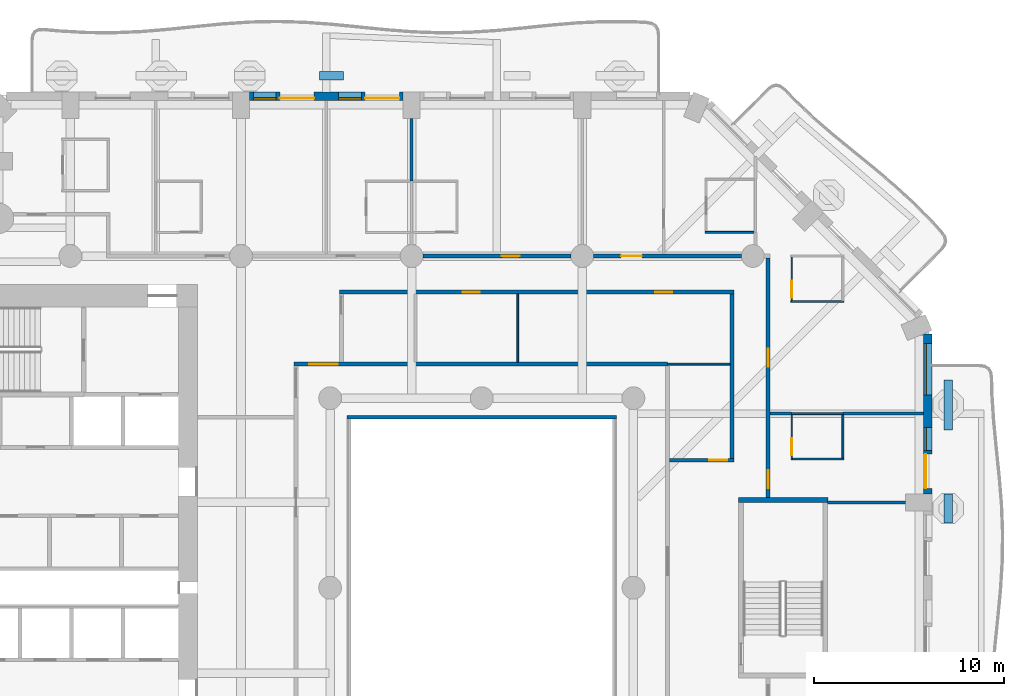
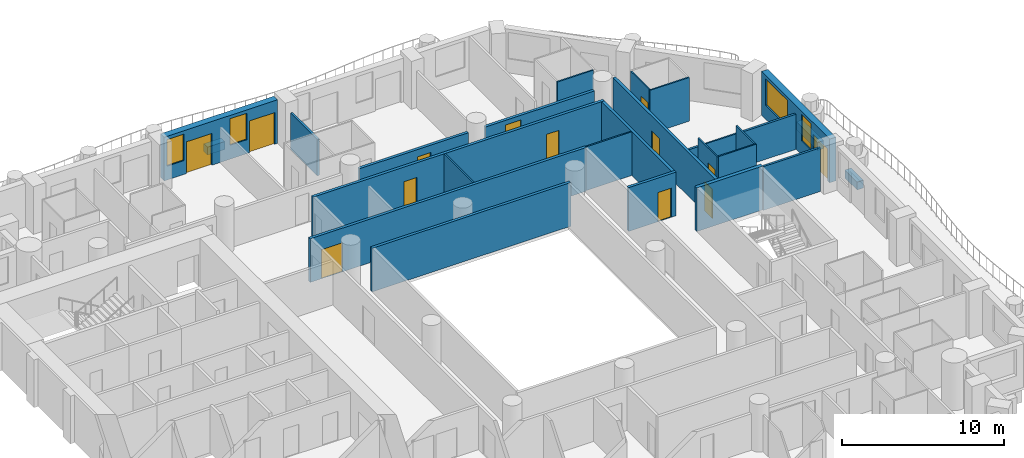
# One storey, part 9 of 20: 27 walls, 13 doors, 4 windows, 17 openings.
"""IFC4 building model written with IfcOpenShell, lengths in metres."""

from ifc_helpers import new_model, si_unit, direction, frame, frame_2d, origin, place, context, subcontext, project, spatial, rectangle, extrude, material, layer, layer_set, type_object, element, fill, save


model = new_model("IFC4")

# Units and contexts
model_context = context("Model", 3, precision=1e-05, world=origin(), true_north=direction((0.0, 1.0)))
body_context = subcontext(model_context, "Body", "Model", "MODEL_VIEW")
ifc_project = project(units=[si_unit("LENGTHUNIT", "METRE"), si_unit("AREAUNIT", "SQUARE_METRE"), si_unit("VOLUMEUNIT", "CUBIC_METRE"), si_unit("PLANEANGLEUNIT", "RADIAN"), si_unit("MASSUNIT", "GRAM", prefix="KILO")], contexts=[model_context])

# Site, building, storey
site_placement = place(None, origin())
site = spatial("IfcSite", under=ifc_project, at=site_placement, CompositionType="ELEMENT")
building_placement = place(site_placement, origin())
building = spatial("IfcBuilding", under=site, at=building_placement, Name="Cypress Arch Tower", CompositionType="ELEMENT")
storey_placement = place(building_placement, frame((0.0, 0.0, 95.10009765625)))
storey = spatial("IfcBuildingStorey", under=building, at=storey_placement, Name="L18", CompositionType="ELEMENT", Elevation=95.10009765625)

# Walls
ifc_material_1 = material(Name="Concrete C40/50, waterproofed", Category="concrete")
ifc_layer_1 = layer(ifc_material_1, 0.449951171875)
ifc_layer_set_1 = layer_set([ifc_layer_1], Name="Balcony planter wall PW450")
wall_type_1 = type_object("IfcWallType", Name="Balcony planter wall PW450", PredefinedType="SOLIDWALL", material=ifc_layer_set_1)
wall_1_placement = place(storey_placement, frame((25.60009765625, 3.42138671875, 0.0), z_axis=(0.0, 0.0, 1.0), x_axis=(0.0, 1.0, 0.0)))
element("IfcWall", 1, at=wall_1_placement, inside=storey, type_object=wall_type_1, Name="Balcony planter wall L18-A06.2", PredefinedType="SOLIDWALL", context=body_context, shape_type="SweptSolid", body=[
    extrude(rectangle(XDim=1.5224609375, YDim=0.449951171875, at=frame_2d((0.76123046875, 0.0))), origin(), (0.0, 0.0, 1.0), 0.599853515625),
])
wall_2_placement = place(storey_placement, frame((25.60009765625, 8.335693359375, 0.0), z_axis=(0.0, 0.0, 1.0), x_axis=(0.0, 1.0, 0.0)))
element("IfcWall", 2, at=wall_2_placement, inside=storey, type_object=wall_type_1, Name="Balcony planter wall L18-A06.3", PredefinedType="SOLIDWALL", context=body_context, shape_type="SweptSolid", body=[
    extrude(rectangle(XDim=2.6142578125, YDim=0.449951171875, at=frame_2d((1.30712890625, 0.0))), origin(), (0.0, 0.0, 1.0), 0.599853515625),
])
wall_3_placement = place(storey_placement, frame((-6.300048828125, 27.0, 0.0), z_axis=(0.0, 0.0, 1.0), x_axis=(-1.0, 0.0, 0.0)))
element("IfcWall", 3, at=wall_3_placement, inside=storey, type_object=wall_type_1, Name="Balcony planter wall L18-A08.3", PredefinedType="SOLIDWALL", context=body_context, shape_type="SweptSolid", body=[
    extrude(rectangle(XDim=1.25, YDim=0.449951171875, at=frame_2d((0.625, 0.0))), origin(), (0.0, 0.0, 1.0), 0.599853515625),
])

# Wall, openings, door, windows
ifc_material_2 = material(Name="Brick (red buff blend)", Category="masonry")
ifc_layer_2 = layer(ifc_material_2, 0.449951171875)
ifc_layer_set_2 = layer_set([ifc_layer_2], Name="Brick pier and spandrel wall BW450")
wall_type_2 = type_object("IfcWallType", Name="Brick pier and spandrel wall BW450", PredefinedType="SOLIDWALL", material=ifc_layer_set_2)
wall_4_placement = place(storey_placement, frame((24.52490234375, 4.949951171875, 0.0), z_axis=(0.0, 0.0, 1.0), x_axis=(0.0, 1.0, 0.0)))
wall_4 = element("IfcWall", 4, at=wall_4_placement, inside=storey, type_object=wall_type_2, Name="Brick wall L18 A06.3", PredefinedType="SOLIDWALL", context=body_context, shape_type="SweptSolid", body=[
    extrude(rectangle(XDim=8.438720703125, YDim=0.449951171875, at=frame_2d((4.21923828125, 0.0))), origin(), (0.0, 0.0, 1.0), 3.2998046875),
])
opening_1_placement = place(wall_4_placement, frame((0.2939453125, 0.0, 0.0)))
opening_1 = element("IfcOpeningElement", 5, at=opening_1_placement, cuts=wall_4, Name="Opening D-L18-A06.3.1", PredefinedType="OPENING", context=body_context, shape_type="SweptSolid", body=[
    extrude(rectangle(XDim=1.800048828125, YDim=2.39990234375, at=frame_2d((0.89990234375, 1.199951171875))), frame((0.0, 0.23486328125, 0.0), z_axis=(0.0, -1.0, 0.0), x_axis=(1.0, 0.0, 0.0)), (0.0, 0.0, 1.0), 0.469970703125),
])
opening_2_placement = place(wall_4_placement, frame((2.2939453125, 0.0, 1.050048828125)))
opening_2 = element("IfcOpeningElement", 6, at=opening_2_placement, cuts=wall_4, Name="Opening W120HD", PredefinedType="OPENING", context=body_context, shape_type="SweptSolid", body=[
    extrude(rectangle(XDim=1.199951171875, YDim=2.0, at=frame_2d((0.60009765625, 1.0))), frame((0.0, 0.23486328125, 0.0), z_axis=(0.0, -1.0, 0.0), x_axis=(1.0, 0.0, 0.0)), (0.0, 0.0, 1.0), 0.469970703125),
])
opening_3_placement = place(wall_4_placement, frame((5.231689453125, 0.0, 1.050048828125)))
opening_3 = element("IfcOpeningElement", 7, at=opening_3_placement, cuts=wall_4, Name="Opening W270HD", PredefinedType="OPENING", context=body_context, shape_type="SweptSolid", body=[
    extrude(rectangle(XDim=2.699951171875, YDim=2.0, at=frame_2d((1.35009765625, 1.0))), frame((0.0, 0.23486328125, 0.0), z_axis=(0.0, -1.0, 0.0), x_axis=(1.0, 0.0, 0.0)), (0.0, 0.0, 1.0), 0.469970703125),
])
ifc_material_3 = material(Name="Anodised aluminium, bronze finish, laminated low-emissivity double glazing, large-missile impact rated", Category="aluminium")
door_type_1 = type_object("IfcDoorType", Name="Balcony sliding door 1800x2400", OperationType="SLIDING_TO_LEFT", PredefinedType="DOOR", material=ifc_material_3)
door_1_placement = place(opening_1_placement, origin())
door_1 = element("IfcDoor", 8, at=door_1_placement, inside=storey, type_object=door_type_1, Name="Balcony door L18 A06.3.1", OperationType="SLIDING_TO_LEFT", OverallHeight=2.39990234375, OverallWidth=1.800048828125, PredefinedType="DOOR", context=body_context, shape_type="SweptSolid", body=[
    extrude(rectangle(XDim=1.800048828125, YDim=2.39990234375, at=frame_2d((0.89990234375, 1.199951171875))), frame((0.0, 0.1298828125, 0.0), z_axis=(0.0, -1.0, 0.0), x_axis=(1.0, 0.0, 0.0)), (0.0, 0.0, 1.0), 0.050048828125),
])
fill(opening_1, door_1)
ifc_material_4 = material(Name="Anodised aluminium, bronze finish, laminated low-emissivity double glazing, large-missile impact rated", Category="aluminium")
window_type_1 = type_object("IfcWindowType", Name="Window Hotel 1200x2000 debris-rated", PartitioningType="SINGLE_PANEL", PredefinedType="WINDOW", material=ifc_material_4)
window_1_placement = place(opening_2_placement, origin())
window_1 = element("IfcWindow", 9, at=window_1_placement, inside=storey, type_object=window_type_1, Name="Window L18 A06.3.1", OverallHeight=2.0, OverallWidth=1.199951171875, PartitioningType="SINGLE_PANEL", PredefinedType="WINDOW", context=body_context, shape_type="SweptSolid", body=[
    extrude(rectangle(XDim=1.199951171875, YDim=2.0, at=frame_2d((0.60009765625, 1.0))), frame((0.0, 0.135009765625, 0.0), z_axis=(0.0, -1.0, 0.0), x_axis=(1.0, 0.0, 0.0)), (0.0, 0.0, 1.0), 0.06005859375),
])
fill(opening_2, window_1)
ifc_material_5 = material(Name="Anodised aluminium, bronze finish, laminated low-emissivity double glazing, large-missile impact rated", Category="aluminium")
window_type_2 = type_object("IfcWindowType", Name="Window Hotel 2700x2000 debris-rated", PartitioningType="SINGLE_PANEL", PredefinedType="WINDOW", material=ifc_material_5)
window_2_placement = place(opening_3_placement, origin())
window_2 = element("IfcWindow", 10, at=window_2_placement, inside=storey, type_object=window_type_2, Name="Window L18 A06.3.2", OverallHeight=2.0, OverallWidth=2.699951171875, PartitioningType="SINGLE_PANEL", PredefinedType="WINDOW", context=body_context, shape_type="SweptSolid", body=[
    extrude(rectangle(XDim=2.699951171875, YDim=2.0, at=frame_2d((1.35009765625, 1.0))), frame((0.0, 0.135009765625, 0.0), z_axis=(0.0, -1.0, 0.0), x_axis=(1.0, 0.0, 0.0)), (0.0, 0.0, 1.0), 0.06005859375),
])
fill(opening_3, window_2)

# Wall, openings, doors, windows
wall_5_placement = place(storey_placement, frame((-3.14990234375, 25.925048828125, 0.0), z_axis=(0.0, 0.0, 1.0), x_axis=(-1.0, 0.0, 0.0)))
wall_5 = element("IfcWall", 11, at=wall_5_placement, inside=storey, type_object=wall_type_2, Name="Brick wall L18 A08.2", PredefinedType="SOLIDWALL", context=body_context, shape_type="SweptSolid", body=[
    extrude(rectangle(XDim=8.10009765625, YDim=0.449951171875, at=frame_2d((4.050048828125, 0.0))), origin(), (0.0, 0.0, 1.0), 3.2998046875),
])
opening_4_placement = place(wall_5_placement, frame((0.199951171875, 0.0, 0.0)))
opening_4 = element("IfcOpeningElement", 12, at=opening_4_placement, cuts=wall_5, Name="Opening D-L18-A08.2.1", PredefinedType="OPENING", context=body_context, shape_type="SweptSolid", body=[
    extrude(rectangle(XDim=1.800048828125, YDim=2.39990234375, at=frame_2d((0.89990234375, 1.199951171875))), frame((0.0, 0.23486328125, 0.0), z_axis=(0.0, -1.0, 0.0), x_axis=(1.0, 0.0, 0.0)), (0.0, 0.0, 1.0), 0.469970703125),
])
opening_5_placement = place(wall_5_placement, frame((2.199951171875, 0.0, 1.050048828125)))
opening_5 = element("IfcOpeningElement", 13, at=opening_5_placement, cuts=wall_5, Name="Opening W120HD", PredefinedType="OPENING", context=body_context, shape_type="SweptSolid", body=[
    extrude(rectangle(XDim=1.199951171875, YDim=2.0, at=frame_2d((0.60009765625, 1.0))), frame((0.0, 0.23486328125, 0.0), z_axis=(0.0, -1.0, 0.0), x_axis=(1.0, 0.0, 0.0)), (0.0, 0.0, 1.0), 0.469970703125),
])
opening_6_placement = place(wall_5_placement, frame((4.699951171875, 0.0, 0.0)))
opening_6 = element("IfcOpeningElement", 14, at=opening_6_placement, cuts=wall_5, Name="Opening D-L18-A08.2.2", PredefinedType="OPENING", context=body_context, shape_type="SweptSolid", body=[
    extrude(rectangle(XDim=1.800048828125, YDim=2.39990234375, at=frame_2d((0.89990234375, 1.199951171875))), frame((0.0, 0.23486328125, 0.0), z_axis=(0.0, -1.0, 0.0), x_axis=(1.0, 0.0, 0.0)), (0.0, 0.0, 1.0), 0.469970703125),
])
opening_7_placement = place(wall_5_placement, frame((6.699951171875, 0.0, 1.050048828125)))
opening_7 = element("IfcOpeningElement", 15, at=opening_7_placement, cuts=wall_5, Name="Opening W120HD", PredefinedType="OPENING", context=body_context, shape_type="SweptSolid", body=[
    extrude(rectangle(XDim=1.199951171875, YDim=2.0, at=frame_2d((0.60009765625, 1.0))), frame((0.0, 0.23486328125, 0.0), z_axis=(0.0, -1.0, 0.0), x_axis=(1.0, 0.0, 0.0)), (0.0, 0.0, 1.0), 0.469970703125),
])
door_2_placement = place(opening_4_placement, origin())
door_2 = element("IfcDoor", 16, at=door_2_placement, inside=storey, type_object=door_type_1, Name="Balcony door L18 A08.2.1", OperationType="SLIDING_TO_LEFT", OverallHeight=2.39990234375, OverallWidth=1.800048828125, PredefinedType="DOOR", context=body_context, shape_type="SweptSolid", body=[
    extrude(rectangle(XDim=1.800048828125, YDim=2.39990234375, at=frame_2d((0.89990234375, 1.199951171875))), frame((0.0, 0.1298828125, 0.0), z_axis=(0.0, -1.0, 0.0), x_axis=(1.0, 0.0, 0.0)), (0.0, 0.0, 1.0), 0.050048828125),
])
fill(opening_4, door_2)
door_3_placement = place(opening_6_placement, origin())
door_3 = element("IfcDoor", 17, at=door_3_placement, inside=storey, type_object=door_type_1, Name="Balcony door L18 A08.2.2", OperationType="SLIDING_TO_LEFT", OverallHeight=2.39990234375, OverallWidth=1.800048828125, PredefinedType="DOOR", context=body_context, shape_type="SweptSolid", body=[
    extrude(rectangle(XDim=1.800048828125, YDim=2.39990234375, at=frame_2d((0.89990234375, 1.199951171875))), frame((0.0, 0.1298828125, 0.0), z_axis=(0.0, -1.0, 0.0), x_axis=(1.0, 0.0, 0.0)), (0.0, 0.0, 1.0), 0.050048828125),
])
fill(opening_6, door_3)
window_3_placement = place(opening_5_placement, origin())
window_3 = element("IfcWindow", 18, at=window_3_placement, inside=storey, type_object=window_type_1, Name="Window L18 A08.2.1", OverallHeight=2.0, OverallWidth=1.199951171875, PartitioningType="SINGLE_PANEL", PredefinedType="WINDOW", context=body_context, shape_type="SweptSolid", body=[
    extrude(rectangle(XDim=1.199951171875, YDim=2.0, at=frame_2d((0.60009765625, 1.0))), frame((0.0, 0.135009765625, 0.0), z_axis=(0.0, -1.0, 0.0), x_axis=(1.0, 0.0, 0.0)), (0.0, 0.0, 1.0), 0.06005859375),
])
fill(opening_5, window_3)
window_4_placement = place(opening_7_placement, origin())
window_4 = element("IfcWindow", 19, at=window_4_placement, inside=storey, type_object=window_type_1, Name="Window L18 A08.2.2", OverallHeight=2.0, OverallWidth=1.199951171875, PartitioningType="SINGLE_PANEL", PredefinedType="WINDOW", context=body_context, shape_type="SweptSolid", body=[
    extrude(rectangle(XDim=1.199951171875, YDim=2.0, at=frame_2d((0.60009765625, 1.0))), frame((0.0, 0.135009765625, 0.0), z_axis=(0.0, -1.0, 0.0), x_axis=(1.0, 0.0, 0.0)), (0.0, 0.0, 1.0), 0.06005859375),
])
fill(opening_7, window_4)

# Wall, opening, door
ifc_material_6 = material(Name="Concrete blockwork, plastered, rated", Category="masonry")
ifc_layer_3 = layer(ifc_material_6, 0.199951171875)
ifc_layer_set_3 = layer_set([ifc_layer_3], Name="Corridor wall FW200")
wall_type_3 = type_object("IfcWallType", Name="Corridor wall FW200", PredefinedType="PARTITIONING", material=ifc_layer_set_3)
wall_6_placement = place(storey_placement, frame((-2.10009765625, 17.5, 0.0), z_axis=(0.0, 0.0, 1.0), x_axis=(1.0, 0.0, 0.0)))
wall_6 = element("IfcWall", 20, at=wall_6_placement, inside=storey, type_object=wall_type_3, Name="Corridor wall", PredefinedType="PARTITIONING", context=body_context, shape_type="SweptSolid", body=[
    extrude(rectangle(XDim=7.800048828125, YDim=0.199951171875, at=frame_2d((3.89990234375, 0.0))), origin(), (0.0, 0.0, 1.0), 2.75),
])
opening_8_placement = place(wall_6_placement, frame((4.14990234375, 0.0, 0.0)))
opening_8 = element("IfcOpeningElement", 21, at=opening_8_placement, cuts=wall_6, Name="Opening D02", PredefinedType="OPENING", context=body_context, shape_type="SweptSolid", body=[
    extrude(rectangle(XDim=0.949951171875, YDim=2.199951171875, at=frame_2d((0.47509765625, 1.10009765625))), frame((0.0, 0.10986328125, 0.0), z_axis=(0.0, -1.0, 0.0), x_axis=(1.0, 0.0, 0.0)), (0.0, 0.0, 1.0), 0.219970703125),
])
ifc_material_7 = material(Name="Timber flush door, fire resisting", Category="wood")
door_type_2 = type_object("IfcDoorType", Name="Room door D02 950x2200", OperationType="SINGLE_SWING_LEFT", PredefinedType="DOOR", material=ifc_material_7)
door_4_placement = place(opening_8_placement, origin())
door_4 = element("IfcDoor", 22, at=door_4_placement, inside=storey, type_object=door_type_2, Name="Room door", OperationType="SINGLE_SWING_RIGHT", OverallHeight=2.199951171875, OverallWidth=0.949951171875, PredefinedType="DOOR", context=body_context, shape_type="SweptSolid", body=[
    extrude(rectangle(XDim=0.949951171875, YDim=2.199951171875, at=frame_2d((0.47509765625, 1.10009765625))), frame((0.0, 0.02490234375, 0.0), z_axis=(0.0, -1.0, 0.0), x_axis=(1.0, 0.0, 0.0)), (0.0, 0.0, 1.0), 0.050048828125),
])
fill(opening_8, door_4)

wall_7_placement = place(storey_placement, frame((6.89990234375, 17.5, 0.0), z_axis=(0.0, 0.0, 1.0), x_axis=(1.0, 0.0, 0.0)))
wall_7 = element("IfcWall", 23, at=wall_7_placement, inside=storey, type_object=wall_type_3, Name="Corridor wall", PredefinedType="PARTITIONING", context=body_context, shape_type="SweptSolid", body=[
    extrude(rectangle(XDim=7.800048828125, YDim=0.199951171875, at=frame_2d((3.89990234375, 0.0))), origin(), (0.0, 0.0, 1.0), 2.75),
])
opening_9_placement = place(wall_7_placement, frame((1.449951171875, 0.0, 0.0)))
opening_9 = element("IfcOpeningElement", 24, at=opening_9_placement, cuts=wall_7, Name="Opening D01", PredefinedType="OPENING", context=body_context, shape_type="SweptSolid", body=[
    extrude(rectangle(XDim=1.10009765625, YDim=2.39990234375, at=frame_2d((0.550048828125, 1.199951171875))), frame((0.0, 0.10986328125, 0.0), z_axis=(0.0, -1.0, 0.0), x_axis=(1.0, 0.0, 0.0)), (0.0, 0.0, 1.0), 0.219970703125),
])
ifc_material_8 = material(Name="Timber flush door, fire resisting, self-closing", Category="wood")
door_type_3 = type_object("IfcDoorType", Name="Unit entrance door D01 1100x2400", OperationType="SINGLE_SWING_LEFT", PredefinedType="DOOR", material=ifc_material_8)
door_5_placement = place(opening_9_placement, origin())
door_5 = element("IfcDoor", 25, at=door_5_placement, inside=storey, type_object=door_type_3, Name="Unit entrance door", OperationType="SINGLE_SWING_RIGHT", OverallHeight=2.39990234375, OverallWidth=1.10009765625, PredefinedType="DOOR", context=body_context, shape_type="SweptSolid", body=[
    extrude(rectangle(XDim=1.10009765625, YDim=2.39990234375, at=frame_2d((0.550048828125, 1.199951171875))), frame((0.0, 0.02490234375, 0.0), z_axis=(0.0, -1.0, 0.0), x_axis=(1.0, 0.0, 0.0)), (0.0, 0.0, 1.0), 0.050048828125),
])
fill(opening_9, door_5)

wall_8_placement = place(storey_placement, frame((-8.89990234375, 11.800048828125, 0.0), z_axis=(0.0, 0.0, 1.0), x_axis=(1.0, 0.0, 0.0)))
wall_8 = element("IfcWall", 26, at=wall_8_placement, inside=storey, type_object=wall_type_3, Name="Corridor wall", PredefinedType="PARTITIONING", context=body_context, shape_type="SweptSolid", body=[
    extrude(rectangle(XDim=19.699951171875, YDim=0.199951171875, at=frame_2d((9.85009765625, 0.0))), origin(), (0.0, 0.0, 1.0), 3.2998046875),
])
opening_10_placement = place(wall_8_placement, frame((0.800048828125, 0.0, 0.0)))
opening_10 = element("IfcOpeningElement", 27, at=opening_10_placement, cuts=wall_8, Name="Opening D04", PredefinedType="OPENING", context=body_context, shape_type="SweptSolid", body=[
    extrude(rectangle(XDim=1.5, YDim=2.199951171875, at=frame_2d((0.75, 1.10009765625))), frame((0.0, 0.10986328125, 0.0), z_axis=(0.0, -1.0, 0.0), x_axis=(1.0, 0.0, 0.0)), (0.0, 0.0, 1.0), 0.219970703125),
])
ifc_material_9 = material(Name="Timber double door", Category="wood")
door_type_4 = type_object("IfcDoorType", Name="Double door D04 1500x2200", OperationType="DOUBLE_DOOR_SINGLE_SWING", PredefinedType="DOOR", material=ifc_material_9)
door_6_placement = place(opening_10_placement, origin())
door_6 = element("IfcDoor", 28, at=door_6_placement, inside=storey, type_object=door_type_4, Name="Double door", OperationType="DOUBLE_DOOR_SINGLE_SWING", OverallHeight=2.199951171875, OverallWidth=1.5, PredefinedType="DOOR", context=body_context, shape_type="SweptSolid", body=[
    extrude(rectangle(XDim=1.5, YDim=2.199951171875, at=frame_2d((0.75, 1.10009765625))), frame((0.0, 0.02490234375, 0.0), z_axis=(0.0, -1.0, 0.0), x_axis=(1.0, 0.0, 0.0)), (0.0, 0.0, 1.0), 0.050048828125),
])
fill(opening_10, door_6)

# Wall, openings, doors
wall_9_placement = place(storey_placement, frame((-6.5, 15.60009765625, 0.0), z_axis=(0.0, 0.0, 1.0), x_axis=(1.0, 0.0, 0.0)))
wall_9 = element("IfcWall", 29, at=wall_9_placement, inside=storey, type_object=wall_type_3, Name="Corridor wall", PredefinedType="PARTITIONING", context=body_context, shape_type="SweptSolid", body=[
    extrude(rectangle(XDim=20.800048828125, YDim=0.199951171875, at=frame_2d((10.39990234375, 0.0))), origin(), (0.0, 0.0, 1.0), 3.2998046875),
])
opening_11_placement = place(wall_9_placement, frame((6.5, 0.0, 0.0)))
opening_11 = element("IfcOpeningElement", 30, at=opening_11_placement, cuts=wall_9, Name="Opening D05", PredefinedType="OPENING", context=body_context, shape_type="SweptSolid", body=[
    extrude(rectangle(XDim=0.89990234375, YDim=2.199951171875, at=frame_2d((0.449951171875, 1.10009765625))), frame((0.0, 0.10986328125, 0.0), z_axis=(0.0, -1.0, 0.0), x_axis=(1.0, 0.0, 0.0)), (0.0, 0.0, 1.0), 0.219970703125),
])
opening_12_placement = place(wall_9_placement, frame((16.64990234375, 0.0, 0.0)))
opening_12 = element("IfcOpeningElement", 31, at=opening_12_placement, cuts=wall_9, Name="Opening D03", PredefinedType="OPENING", context=body_context, shape_type="SweptSolid", body=[
    extrude(rectangle(XDim=0.89990234375, YDim=2.199951171875, at=frame_2d((0.449951171875, 1.10009765625))), frame((0.0, 0.10986328125, 0.0), z_axis=(0.0, -1.0, 0.0), x_axis=(1.0, 0.0, 0.0)), (0.0, 0.0, 1.0), 0.219970703125),
])
ifc_material_10 = material(Name="Timber flush door, moisture resistant", Category="wood")
door_type_5 = type_object("IfcDoorType", Name="Bathroom door D03 900x2200", OperationType="SINGLE_SWING_LEFT", PredefinedType="DOOR", material=ifc_material_10)
door_7_placement = place(opening_12_placement, origin())
door_7 = element("IfcDoor", 32, at=door_7_placement, inside=storey, type_object=door_type_5, Name="Bathroom door", OperationType="SINGLE_SWING_LEFT", OverallHeight=2.199951171875, OverallWidth=0.89990234375, PredefinedType="DOOR", context=body_context, shape_type="SweptSolid", body=[
    extrude(rectangle(XDim=0.89990234375, YDim=2.199951171875, at=frame_2d((0.449951171875, 1.10009765625))), frame((0.0, 0.02490234375, 0.0), z_axis=(0.0, -1.0, 0.0), x_axis=(1.0, 0.0, 0.0)), (0.0, 0.0, 1.0), 0.050048828125),
])
fill(opening_12, door_7)
ifc_material_11 = material(Name="Timber flush door", Category="wood")
door_type_6 = type_object("IfcDoorType", Name="Service door D05 900x2200", OperationType="SINGLE_SWING_LEFT", PredefinedType="DOOR", material=ifc_material_11)
door_8_placement = place(opening_11_placement, origin())
door_8 = element("IfcDoor", 33, at=door_8_placement, inside=storey, type_object=door_type_6, Name="Service door", OperationType="SINGLE_SWING_LEFT", OverallHeight=2.199951171875, OverallWidth=0.89990234375, PredefinedType="DOOR", context=body_context, shape_type="SweptSolid", body=[
    extrude(rectangle(XDim=0.89990234375, YDim=2.199951171875, at=frame_2d((0.449951171875, 1.10009765625))), frame((0.0, 0.02490234375, 0.0), z_axis=(0.0, -1.0, 0.0), x_axis=(1.0, 0.0, 0.0)), (0.0, 0.0, 1.0), 0.050048828125),
])
fill(opening_11, door_8)

# Wall
wall_10_placement = place(storey_placement, frame((-6.10009765625, 9.0, 0.0), z_axis=(0.0, 0.0, 1.0), x_axis=(1.0, 0.0, 0.0)))
element("IfcWall", 34, at=wall_10_placement, inside=storey, type_object=wall_type_3, Name="Corridor wall", PredefinedType="PARTITIONING", context=body_context, shape_type="SweptSolid", body=[
    extrude(rectangle(XDim=14.2001953125, YDim=0.199951171875, at=frame_2d((7.10009765625, 0.0))), origin(), (0.0, 0.0, 1.0), 3.2998046875),
])

# Wall, opening, door
wall_11_placement = place(storey_placement, frame((10.89990234375, 6.72509765625, 0.0), z_axis=(0.0, 0.0, 1.0), x_axis=(1.0, 0.0, 0.0)))
wall_11 = element("IfcWall", 35, at=wall_11_placement, inside=storey, type_object=wall_type_3, Name="Corridor wall", PredefinedType="PARTITIONING", context=body_context, shape_type="SweptSolid", body=[
    extrude(rectangle(XDim=3.400146484375, YDim=0.199951171875, at=frame_2d((1.7001953125, 0.0))), origin(), (0.0, 0.0, 1.0), 3.2998046875),
])
opening_13_placement = place(wall_11_placement, frame((2.10009765625, 0.0, 0.0)))
opening_13 = element("IfcOpeningElement", 36, at=opening_13_placement, cuts=wall_11, Name="Opening D02", PredefinedType="OPENING", context=body_context, shape_type="SweptSolid", body=[
    extrude(rectangle(XDim=0.949951171875, YDim=2.199951171875, at=frame_2d((0.47509765625, 1.10009765625))), frame((0.0, 0.10986328125, 0.0), z_axis=(0.0, -1.0, 0.0), x_axis=(1.0, 0.0, 0.0)), (0.0, 0.0, 1.0), 0.219970703125),
])
door_9_placement = place(opening_13_placement, origin())
door_9 = element("IfcDoor", 37, at=door_9_placement, inside=storey, type_object=door_type_2, Name="Room door", OperationType="SINGLE_SWING_RIGHT", OverallHeight=2.199951171875, OverallWidth=0.949951171875, PredefinedType="DOOR", context=body_context, shape_type="SweptSolid", body=[
    extrude(rectangle(XDim=0.949951171875, YDim=2.199951171875, at=frame_2d((0.47509765625, 1.10009765625))), frame((0.0, 0.02490234375, 0.0), z_axis=(0.0, -1.0, 0.0), x_axis=(1.0, 0.0, 0.0)), (0.0, 0.0, 1.0), 0.050048828125),
])
fill(opening_13, door_9)

# Wall
wall_12_placement = place(storey_placement, frame((14.199951171875, 6.824951171875, 0.0), z_axis=(0.0, 0.0, 1.0), x_axis=(0.0, 1.0, 0.0)))
element("IfcWall", 38, at=wall_12_placement, inside=storey, type_object=wall_type_3, Name="Corridor wall", PredefinedType="PARTITIONING", context=body_context, shape_type="SweptSolid", body=[
    extrude(rectangle(XDim=8.675048828125, YDim=0.199951171875, at=frame_2d((4.33740234375, 0.0))), origin(), (0.0, 0.0, 1.0), 3.2998046875),
])

# Wall, openings, doors
wall_13_placement = place(storey_placement, frame((16.10009765625, 4.75, 0.0), z_axis=(0.0, 0.0, 1.0), x_axis=(0.0, 1.0, 0.0)))
wall_13 = element("IfcWall", 39, at=wall_13_placement, inside=storey, type_object=wall_type_3, Name="Corridor wall", PredefinedType="PARTITIONING", context=body_context, shape_type="SweptSolid", body=[
    extrude(rectangle(XDim=12.64990234375, YDim=0.199951171875, at=frame_2d((6.324951171875, 0.0))), origin(), (0.0, 0.0, 1.0), 3.2998046875),
])
opening_14_placement = place(wall_13_placement, frame((0.5, 0.0, 0.0)))
opening_14 = element("IfcOpeningElement", 40, at=opening_14_placement, cuts=wall_13, Name="Opening D02", PredefinedType="OPENING", context=body_context, shape_type="SweptSolid", body=[
    extrude(rectangle(XDim=0.949951171875, YDim=2.199951171875, at=frame_2d((0.47509765625, 1.10009765625))), frame((0.0, 0.10986328125, 0.0), z_axis=(0.0, -1.0, 0.0), x_axis=(1.0, 0.0, 0.0)), (0.0, 0.0, 1.0), 0.219970703125),
])
opening_15_placement = place(wall_13_placement, frame((6.89990234375, 0.0, 0.0)))
opening_15 = element("IfcOpeningElement", 41, at=opening_15_placement, cuts=wall_13, Name="Opening D02", PredefinedType="OPENING", context=body_context, shape_type="SweptSolid", body=[
    extrude(rectangle(XDim=0.949951171875, YDim=2.199951171875, at=frame_2d((0.47509765625, 1.10009765625))), frame((0.0, 0.10986328125, 0.0), z_axis=(0.0, -1.0, 0.0), x_axis=(1.0, 0.0, 0.0)), (0.0, 0.0, 1.0), 0.219970703125),
])
door_10_placement = place(opening_14_placement, origin())
door_10 = element("IfcDoor", 42, at=door_10_placement, inside=storey, type_object=door_type_2, Name="Room door", OperationType="SINGLE_SWING_RIGHT", OverallHeight=2.199951171875, OverallWidth=0.949951171875, PredefinedType="DOOR", context=body_context, shape_type="SweptSolid", body=[
    extrude(rectangle(XDim=0.949951171875, YDim=2.199951171875, at=frame_2d((0.47509765625, 1.10009765625))), frame((0.0, 0.02490234375, 0.0), z_axis=(0.0, -1.0, 0.0), x_axis=(1.0, 0.0, 0.0)), (0.0, 0.0, 1.0), 0.050048828125),
])
fill(opening_14, door_10)
door_11_placement = place(opening_15_placement, origin())
door_11 = element("IfcDoor", 43, at=door_11_placement, inside=storey, type_object=door_type_2, Name="Room door", OperationType="SINGLE_SWING_RIGHT", OverallHeight=2.199951171875, OverallWidth=0.949951171875, PredefinedType="DOOR", context=body_context, shape_type="SweptSolid", body=[
    extrude(rectangle(XDim=0.949951171875, YDim=2.199951171875, at=frame_2d((0.47509765625, 1.10009765625))), frame((0.0, 0.02490234375, 0.0), z_axis=(0.0, -1.0, 0.0), x_axis=(1.0, 0.0, 0.0)), (0.0, 0.0, 1.0), 0.050048828125),
])
fill(opening_15, door_11)

# Walls
ifc_material_12 = material(Name="Blockwork, plastered both sides", Category="masonry")
ifc_layer_4 = layer(ifc_material_12, 0.14990234375)
ifc_layer_set_4 = layer_set([ifc_layer_4], Name="Partition PW150")
wall_type_4 = type_object("IfcWallType", Name="Partition PW150", PredefinedType="PARTITIONING", material=ifc_layer_set_4)
wall_14_placement = place(storey_placement, frame((-2.699951171875, 21.449951171875, 0.0), z_axis=(0.0, 0.0, 1.0), x_axis=(0.0, 1.0, 0.0)))
element("IfcWall", 44, at=wall_14_placement, inside=storey, type_object=wall_type_4, Name="Partition", PredefinedType="PARTITIONING", context=body_context, shape_type="SweptSolid", body=[
    extrude(rectangle(XDim=3.300048828125, YDim=0.14990234375, at=frame_2d((1.64990234375, 0.0))), origin(), (0.0, 0.0, 1.0), 2.75),
])
wall_15_placement = place(storey_placement, frame((16.199951171875, 9.18994140625, 0.0), z_axis=(0.0, 0.0, 1.0), x_axis=(1.0, 0.0, 0.0)))
element("IfcWall", 45, at=wall_15_placement, inside=storey, type_object=wall_type_4, Name="Partition", PredefinedType="PARTITIONING", context=body_context, shape_type="SweptSolid", body=[
    extrude(rectangle(XDim=1.130126953125, YDim=0.14990234375, at=frame_2d((0.56494140625, 0.0))), origin(), (0.0, 0.0, 1.0), 2.64990234375),
])
wall_16_placement = place(storey_placement, frame((19.25, 4.5, 0.0), z_axis=(0.0, 0.0, 1.0), x_axis=(1.0, 0.0, 0.0)))
element("IfcWall", 46, at=wall_16_placement, inside=storey, type_object=wall_type_4, Name="Partition", PredefinedType="PARTITIONING", context=body_context, shape_type="SweptSolid", body=[
    extrude(rectangle(XDim=4.10009765625, YDim=0.14990234375, at=frame_2d((2.050048828125, 0.0))), origin(), (0.0, 0.0, 1.0), 3.2998046875),
])
wall_17_placement = place(storey_placement, frame((20.050048828125, 9.18994140625, 0.0), z_axis=(0.0, 0.0, 1.0), x_axis=(1.0, 0.0, 0.0)))
element("IfcWall", 47, at=wall_17_placement, inside=storey, type_object=wall_type_4, Name="Partition", PredefinedType="PARTITIONING", context=body_context, shape_type="SweptSolid", body=[
    extrude(rectangle(XDim=4.25, YDim=0.14990234375, at=frame_2d((2.125, 0.0))), origin(), (0.0, 0.0, 1.0), 2.64990234375),
])
ifc_material_13 = material(Name="Concrete C50/60", Category="concrete")
ifc_layer_5 = layer(ifc_material_13, 0.25)
ifc_layer_set_5 = layer_set([ifc_layer_5], Name="Stair enclosure wall SW250")
wall_type_5 = type_object("IfcWallType", Name="Stair enclosure wall SW250", PredefinedType="SHEAR", material=ifc_layer_set_5)
wall_18_placement = place(storey_placement, frame((14.550048828125, 4.625, 0.0), z_axis=(0.0, 0.0, 1.0), x_axis=(1.0, 0.0, 0.0)))
element("IfcWall", 48, at=wall_18_placement, inside=storey, type_object=wall_type_5, Name="Stair enclosure wall", PredefinedType="SHEAR", context=body_context, shape_type="SweptSolid", body=[
    extrude(rectangle(XDim=4.699951171875, YDim=0.25, at=frame_2d((2.35009765625, 0.0))), origin(), (0.0, 0.0, 1.0), 3.2998046875),
])
ifc_material_14 = material(Name="Moisture resistant board on steel studs, tiled", Category="steel")
ifc_layer_6 = layer(ifc_material_14, 0.10009765625)
ifc_layer_set_6 = layer_set([ifc_layer_6], Name="Wet wall PW100")
wall_type_6 = type_object("IfcWallType", Name="Wet wall PW100", PredefinedType="PARTITIONING", material=ifc_layer_set_6)
wall_19_placement = place(storey_placement, frame((2.89990234375, 11.89990234375, 0.0), z_axis=(0.0, 0.0, 1.0), x_axis=(0.0, 1.0, 0.0)))
element("IfcWall", 49, at=wall_19_placement, inside=storey, type_object=wall_type_6, Name="Wet wall", PredefinedType="PARTITIONING", context=body_context, shape_type="SweptSolid", body=[
    extrude(rectangle(XDim=3.60009765625, YDim=0.10009765625, at=frame_2d((1.800048828125, 0.0))), origin(), (0.0, 0.0, 1.0), 3.2998046875),
])
wall_20_placement = place(storey_placement, frame((10.800048828125, 11.800048828125, 0.0), z_axis=(0.0, 0.0, 1.0), x_axis=(1.0, 0.0, 0.0)))
element("IfcWall", 50, at=wall_20_placement, inside=storey, type_object=wall_type_6, Name="Wet wall", PredefinedType="PARTITIONING", context=body_context, shape_type="SweptSolid", body=[
    extrude(rectangle(XDim=3.300048828125, YDim=0.10009765625, at=frame_2d((1.64990234375, 0.0))), origin(), (0.0, 0.0, 1.0), 3.2998046875),
])
wall_21_placement = place(storey_placement, frame((12.785888671875, 18.75, 0.0), z_axis=(0.0, 0.0, 1.0), x_axis=(1.0, 0.0, 0.0)))
element("IfcWall", 51, at=wall_21_placement, inside=storey, type_object=wall_type_6, Name="Wet wall", PredefinedType="PARTITIONING", context=body_context, shape_type="SweptSolid", body=[
    extrude(rectangle(XDim=2.571044921875, YDim=0.10009765625, at=frame_2d((1.28564453125, 0.0))), origin(), (0.0, 0.0, 1.0), 3.2998046875),
])
wall_22_placement = place(storey_placement, frame((17.330078125, 9.18994140625, 0.0), z_axis=(0.0, 0.0, 1.0), x_axis=(1.0, 0.0, 0.0)))
element("IfcWall", 52, at=wall_22_placement, inside=storey, type_object=wall_type_6, Name="Wet wall", PredefinedType="PARTITIONING", context=body_context, shape_type="SweptSolid", body=[
    extrude(rectangle(XDim=2.719970703125, YDim=0.10009765625, at=frame_2d((1.35986328125, 0.0))), origin(), (0.0, 0.0, 1.0), 2.64990234375),
])

# Wall, opening, door
wall_23_placement = place(storey_placement, frame((17.35009765625, 9.139892578125, 0.0), z_axis=(0.0, 0.0, 1.0), x_axis=(0.000407580973, -0.999999916939, 0.0)))
wall_23 = element("IfcWall", 53, at=wall_23_placement, inside=storey, type_object=wall_type_6, Name="Wet wall", PredefinedType="PARTITIONING", context=body_context, shape_type="SweptSolid", body=[
    extrude(rectangle(XDim=2.39599609375, YDim=0.10009765625, at=frame_2d((1.197998046875, 0.0))), origin(), (0.0, 0.0, 1.0), 3.2998046875),
])
opening_16_placement = place(wall_23_placement, frame((1.25, 0.0, 0.0)))
opening_16 = element("IfcOpeningElement", 54, at=opening_16_placement, cuts=wall_23, Name="Opening D03", PredefinedType="OPENING", context=body_context, shape_type="SweptSolid", body=[
    extrude(rectangle(XDim=0.89990234375, YDim=2.199951171875, at=frame_2d((0.449951171875, 1.10009765625))), frame((0.0, 0.06005859375, 0.0), z_axis=(0.0, -1.0, 0.0), x_axis=(1.0, 0.0, 0.0)), (0.0, 0.0, 1.0), 0.1201171875),
])
door_12_placement = place(opening_16_placement, origin())
door_12 = element("IfcDoor", 55, at=door_12_placement, inside=storey, type_object=door_type_5, Name="Bathroom door", OperationType="SINGLE_SWING_RIGHT", OverallHeight=2.199951171875, OverallWidth=0.89990234375, PredefinedType="DOOR", context=body_context, shape_type="SweptSolid", body=[
    extrude(rectangle(XDim=0.89990234375, YDim=2.199951171875, at=frame_2d((0.449951171875, 1.10009765625))), frame((0.0, 0.02490234375, 0.0), z_axis=(0.0, -1.0, 0.0), x_axis=(1.0, 0.0, 0.0)), (0.0, 0.0, 1.0), 0.050048828125),
])
fill(opening_16, door_12)

wall_24_placement = place(storey_placement, frame((17.35009765625, 15.14990234375, 0.0), z_axis=(0.0, 0.0, 1.0), x_axis=(0.0, 1.0, 0.0)))
wall_24 = element("IfcWall", 56, at=wall_24_placement, inside=storey, type_object=wall_type_6, Name="Wet wall", PredefinedType="PARTITIONING", context=body_context, shape_type="SweptSolid", body=[
    extrude(rectangle(XDim=2.300048828125, YDim=0.10009765625, at=frame_2d((1.14990234375, 0.0))), origin(), (0.0, 0.0, 1.0), 3.2998046875),
])
opening_17_placement = place(wall_24_placement, frame((0.14990234375, 0.0, 0.0)))
opening_17 = element("IfcOpeningElement", 57, at=opening_17_placement, cuts=wall_24, Name="Opening D03", PredefinedType="OPENING", context=body_context, shape_type="SweptSolid", body=[
    extrude(rectangle(XDim=0.89990234375, YDim=2.199951171875, at=frame_2d((0.449951171875, 1.10009765625))), frame((0.0, 0.06005859375, 0.0), z_axis=(0.0, -1.0, 0.0), x_axis=(1.0, 0.0, 0.0)), (0.0, 0.0, 1.0), 0.1201171875),
])
door_13_placement = place(opening_17_placement, origin())
door_13 = element("IfcDoor", 58, at=door_13_placement, inside=storey, type_object=door_type_5, Name="Bathroom door", OperationType="SINGLE_SWING_RIGHT", OverallHeight=2.199951171875, OverallWidth=0.89990234375, PredefinedType="DOOR", context=body_context, shape_type="SweptSolid", body=[
    extrude(rectangle(XDim=0.89990234375, YDim=2.199951171875, at=frame_2d((0.449951171875, 1.10009765625))), frame((0.0, 0.02490234375, 0.0), z_axis=(0.0, -1.0, 0.0), x_axis=(1.0, 0.0, 0.0)), (0.0, 0.0, 1.0), 0.050048828125),
])
fill(opening_17, door_13)

# Walls
wall_25_placement = place(storey_placement, frame((17.300048828125, 15.10009765625, 0.0), z_axis=(0.0, 0.0, 1.0), x_axis=(1.0, 0.0, 0.0)))
element("IfcWall", 59, at=wall_25_placement, inside=storey, type_object=wall_type_6, Name="Wet wall", PredefinedType="PARTITIONING", context=body_context, shape_type="SweptSolid", body=[
    extrude(rectangle(XDim=2.800048828125, YDim=0.10009765625, at=frame_2d((1.39990234375, 0.0))), origin(), (0.0, 0.0, 1.0), 3.2998046875),
])
wall_26_placement = place(storey_placement, frame((17.40087890625, 6.7939453125, 0.0), z_axis=(0.0, 0.0, 1.0), x_axis=(0.9999999346, 0.000361663629, 0.0)))
element("IfcWall", 60, at=wall_26_placement, inside=storey, type_object=wall_type_6, Name="Wet wall", PredefinedType="PARTITIONING", context=body_context, shape_type="SweptSolid", body=[
    extrude(rectangle(XDim=2.7001953125, YDim=0.10009765625, at=frame_2d((1.35009765625, 0.0))), origin(), (0.0, 0.0, 1.0), 3.2998046875),
])
wall_27_placement = place(storey_placement, frame((20.050048828125, 9.114990234375, 0.0), z_axis=(0.0, 0.0, 1.0), x_axis=(0.000430200003, -0.999999907464, 0.0)))
element("IfcWall", 61, at=wall_27_placement, inside=storey, type_object=wall_type_6, Name="Wet wall", PredefinedType="PARTITIONING", context=body_context, shape_type="SweptSolid", body=[
    extrude(rectangle(XDim=2.27001953125, YDim=0.10009765625, at=frame_2d((1.135009765625, 0.0))), origin(), (0.0, 0.0, 1.0), 3.2998046875),
])

save(model, "model.ifc")
